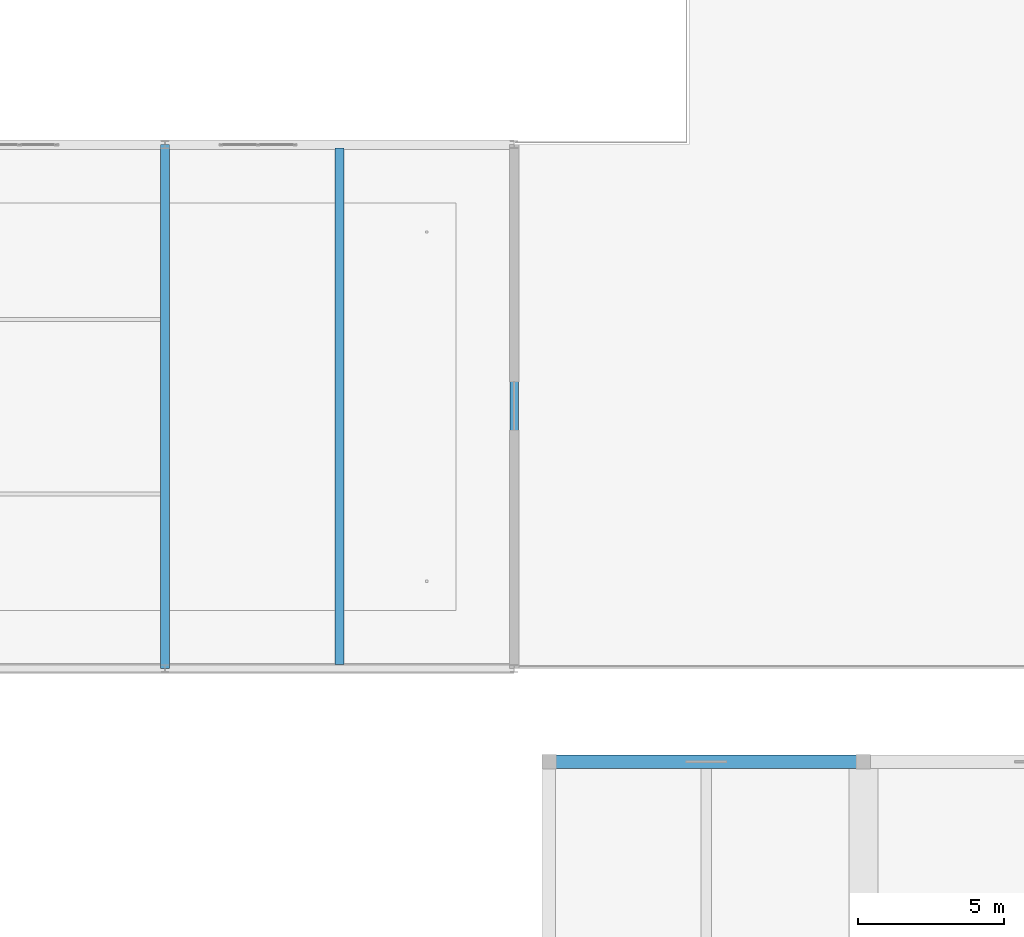
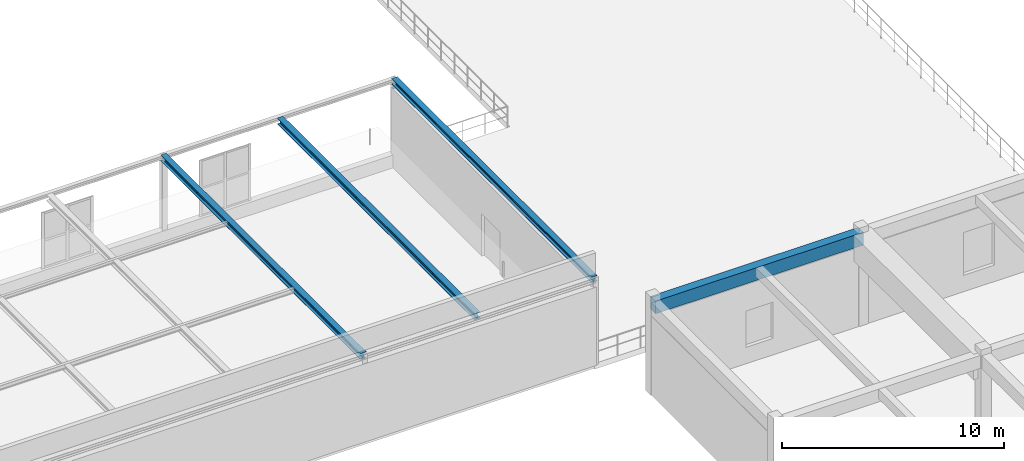
# One storey, part 31 of 97: 4 beams.
"""IFC4 building model written with IfcOpenShell, lengths in metres."""

from ifc_helpers import new_model, si_unit, derived_unit, direction, frame, origin, origin_2d, place, context, subcontext, project, spatial, rectangle, i_section, extrude, material, material_profile, profile_set, type_object, element, save


model = new_model("IFC4")

# Units and contexts
model_context = context("Model", 3, precision=1e-05, world=origin(), true_north=direction((0.0, 1.0)))
body_context = subcontext(model_context, "Body", "Model", "MODEL_VIEW")
ifc_project = project(units=[si_unit("LENGTHUNIT", "METRE"), si_unit("AREAUNIT", "SQUARE_METRE"), si_unit("VOLUMEUNIT", "CUBIC_METRE"), si_unit("PLANEANGLEUNIT", "RADIAN"), si_unit("MASSUNIT", "GRAM", prefix="KILO"), derived_unit("THERMALTRANSMITTANCEUNIT", [(si_unit("POWERUNIT", "WATT"), 1), (si_unit("LENGTHUNIT", "METRE"), -2), (si_unit("THERMODYNAMICTEMPERATUREUNIT", "KELVIN"), -1)])], contexts=[model_context])

# Site, building, storey
site_placement = place(None, origin())
site = spatial("IfcSite", under=ifc_project, at=site_placement, CompositionType="ELEMENT")
building_placement = place(site_placement, origin())
building = spatial("IfcBuilding", under=site, at=building_placement, Name="Almenara Railside Exhibition Hall", CompositionType="ELEMENT")
storey_placement = place(building_placement, frame((0.0, 0.0, 10.800048828125)))
storey = spatial("IfcBuildingStorey", under=building, at=storey_placement, Name="L02", CompositionType="ELEMENT", Elevation=10.800048828125)

# Beams
ifc_material_1 = material(Name="Concrete C35/45", Category="concrete")
ifc_material_profile_1 = material_profile(ifc_material_1, rectangle(XDim=0.449951171875, YDim=0.699951171875, at=origin_2d()), Name="RC 450x700")
ifc_profile_set_1 = profile_set([ifc_material_profile_1], Name="Concrete C35/45")
beam_type_1 = type_object("IfcBeamType", Name="RC Floor Beam 450x700 C35/45", PredefinedType="BEAM", material=ifc_profile_set_1)
beam_1_placement = place(storey_placement, frame((115.199951171875, 32.800048828125, 4.73583984375), z_axis=(1.0, 0.0, 0.0), x_axis=(0.0, 1.0, 0.0)))
element("IfcBeam", 1, at=beam_1_placement, inside=storey, type_object=beam_type_1, Name="Beam 0278", PredefinedType="BEAM", context=body_context, shape_type="SweptSolid", body=[
    extrude(rectangle(XDim=0.449951171875, YDim=0.699951171875, at=origin_2d()), origin(), (0.0, 0.0, 1.0), 10.800048828125),
])
ifc_material_2 = material(Name="Structural steel S355JR", Category="steel")
ifc_material_profile_2 = material_profile(ifc_material_2, i_section(OverallWidth=0.300048828125, OverallDepth=0.31005859375, WebThickness=0.009033203125, FlangeThickness=0.015380859375, FilletRadius=0.027099609375, at=origin_2d()), Name="HEA 320")
ifc_profile_set_2 = profile_set([ifc_material_profile_2], Name="Structural steel S355JR")
beam_type_2 = type_object("IfcBeamType", Name="Steel Concourse Edge Beam HEA 320 S355JR", PredefinedType="BEAM", material=ifc_profile_set_2)
beam_2_placement = place(storey_placement, frame((114.0, 36.0, 4.640869140625), z_axis=(0.0, 1.0, 0.0), x_axis=(-1.0, 0.0, 0.0)))
element("IfcBeam", 2, at=beam_2_placement, inside=storey, type_object=beam_type_2, Name="Beam 0736", PredefinedType="BEAM", context=body_context, shape_type="SweptSolid", body=[
    extrude(i_section(OverallWidth=0.300048828125, OverallDepth=0.31005859375, WebThickness=0.009033203125, FlangeThickness=0.015380859375, FilletRadius=0.027099609375, at=origin_2d()), origin(), (0.0, 0.0, 1.0), 18.0),
])
ifc_material_profile_3 = material_profile(ifc_material_2, i_section(OverallWidth=0.300048828125, OverallDepth=0.330078125, WebThickness=0.009521484375, FlangeThickness=0.0166015625, FilletRadius=0.027099609375, at=origin_2d()), Name="HEA 340")
ifc_profile_set_3 = profile_set([ifc_material_profile_3], Name="Structural steel S355JR")
beam_type_3 = type_object("IfcBeamType", Name="Steel Concourse Vault Rib HEA 340 S355JR", PredefinedType="BEAM", material=ifc_profile_set_3)
beam_3_placement = place(storey_placement, frame((102.0, 36.0, 4.630859375), z_axis=(0.0, 1.0, 0.0), x_axis=(-1.0, 0.0, 0.0)))
element("IfcBeam", 3, at=beam_3_placement, inside=storey, type_object=beam_type_3, Name="Beam 0831", PredefinedType="BEAM", context=body_context, shape_type="SweptSolid", body=[
    extrude(i_section(OverallWidth=0.300048828125, OverallDepth=0.330078125, WebThickness=0.009521484375, FlangeThickness=0.0166015625, FilletRadius=0.027099609375, at=origin_2d()), origin(), (0.0, 0.0, 1.0), 18.0),
])
beam_4_placement = place(storey_placement, frame((108.0, 36.139892578125, 4.630859375), z_axis=(0.0, 1.0, 0.0), x_axis=(-1.0, 0.0, 0.0)))
element("IfcBeam", 4, at=beam_4_placement, inside=storey, type_object=beam_type_3, Name="Beam 0832", PredefinedType="BEAM", context=body_context, shape_type="SweptSolid", body=[
    extrude(i_section(OverallWidth=0.300048828125, OverallDepth=0.330078125, WebThickness=0.009521484375, FlangeThickness=0.0166015625, FilletRadius=0.027099609375, at=origin_2d()), origin(), (0.0, 0.0, 1.0), 17.75),
])

save(model, "model.ifc")
